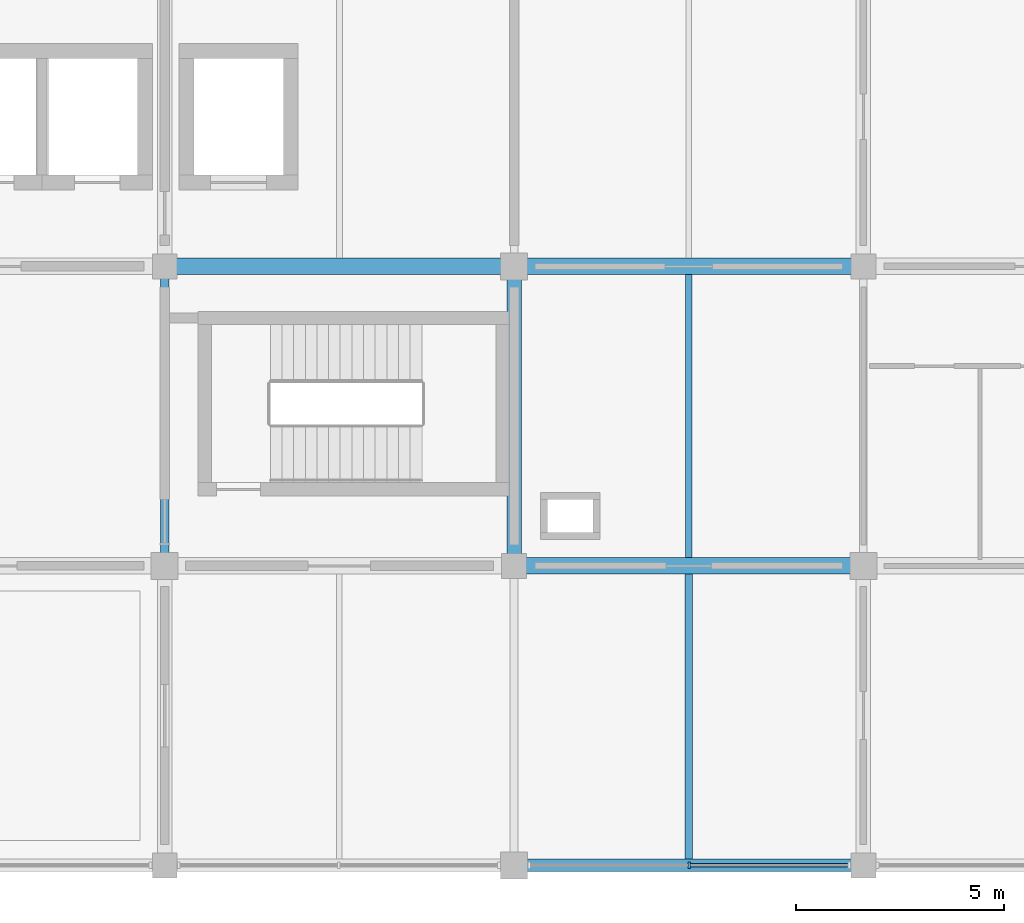
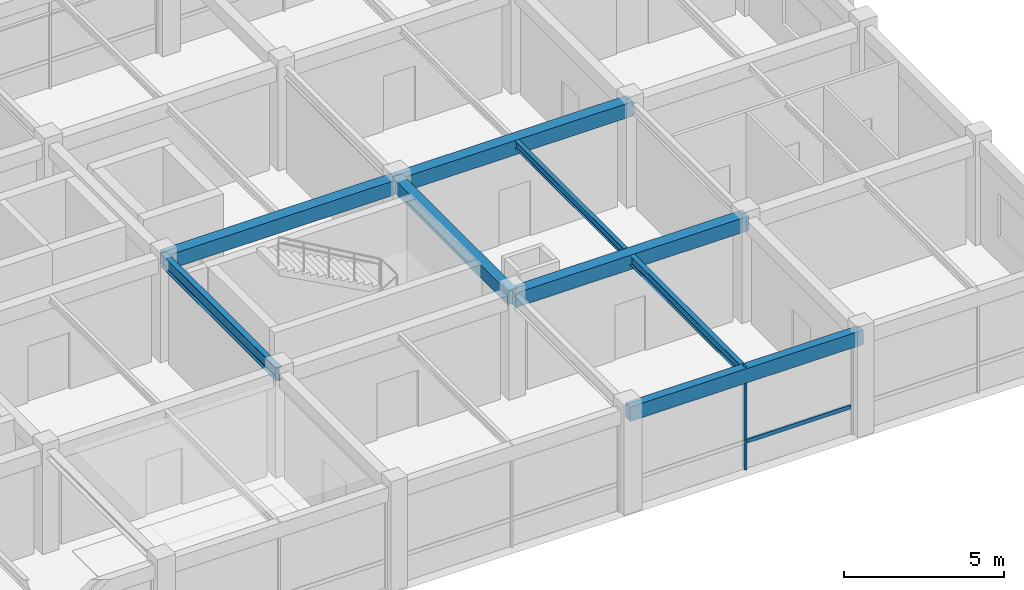
# One storey, part 3 of 11: 8 beams, 2 members, 1 element without a shape of its own.
"""IFC4 building model written with IfcOpenShell, lengths in metres."""

from ifc_helpers import new_model, si_unit, derived_unit, direction, frame, origin, origin_2d, place, context, subcontext, project, spatial, rectangle, i_section, extrude, material, material_profile, profile_set, type_object, element, aggregate, save


model = new_model("IFC4")

# Units and contexts
model_context = context("Model", 3, precision=1e-05, world=origin(), true_north=direction((0.0, 1.0)))
body_context = subcontext(model_context, "Body", "Model", "MODEL_VIEW")
ifc_project = project(units=[si_unit("LENGTHUNIT", "METRE"), si_unit("AREAUNIT", "SQUARE_METRE"), si_unit("VOLUMEUNIT", "CUBIC_METRE"), si_unit("PLANEANGLEUNIT", "RADIAN"), si_unit("MASSUNIT", "GRAM", prefix="KILO"), derived_unit("THERMALTRANSMITTANCEUNIT", [(si_unit("MASSUNIT", "GRAM", prefix="KILO"), 1), (si_unit("TIMEUNIT", "SECOND"), -3), (si_unit("THERMODYNAMICTEMPERATUREUNIT", "KELVIN"), -1)])], contexts=[model_context])

# Site, building, storey
site_placement = place(None, origin())
site = spatial("IfcSite", under=ifc_project, at=site_placement, CompositionType="ELEMENT")
building_placement = place(site_placement, origin())
building = spatial("IfcBuilding", under=site, at=building_placement, Name="Veldstrom Oceanarium and Marine Research Institute", CompositionType="ELEMENT")
storey_placement = place(building_placement, frame((0.0, 0.0, 48.0)))
storey = spatial("IfcBuildingStorey", under=building, at=storey_placement, Name="L10", CompositionType="ELEMENT", Elevation=48.0)

# Curtain wall, members
ifc_material_1 = material(Name="Anodised Aluminium Framing", Category="aluminium")
curtain_wall_type = type_object("IfcCurtainWallType", Name="ARC-CW-CW04", PredefinedType="USERDEFINED", material=ifc_material_1)
curtain_wall_placement = place(storey_placement, origin())
curtain_wall = element("IfcCurtainWall", 1, at=curtain_wall_placement, inside=storey, type_object=curtain_wall_type, Name="Curtain Wall CW04 CW-L10-147", ObjectType="Curtain wall", PredefinedType="USERDEFINED")
ifc_material_2 = material(Name="Anodised Aluminium Framing", Category="aluminium")
ifc_material_profile_1 = material_profile(ifc_material_2, rectangle(XDim=0.06494140625, YDim=0.14990234375, at=origin_2d()), Name="ALU-MUL-65x150")
ifc_profile_set_1 = profile_set([ifc_material_profile_1], Name="Anodised Aluminium Framing")
member_type_1 = type_object("IfcMemberType", Name="ARC-MUL-ML2", PredefinedType="MULLION", material=ifc_profile_set_1)
member_1_placement = place(storey_placement, frame((105.012451171875, 43.199951171875, 0.0), z_axis=(0.0, 0.0, 1.0), x_axis=(1.0, 0.0, 0.0)))
member_1 = element("IfcMember", 2, at=member_1_placement, type_object=member_type_1, Name="Curtain Wall Mullion CW-L10-147-MUL-2", PredefinedType="MULLION", context=body_context, shape_type="SweptSolid", body=[
    extrude(rectangle(XDim=0.06494140625, YDim=0.14990234375, at=origin_2d()), origin(), (0.0, 0.0, 1.0), 3.919921875),
])
ifc_material_3 = material(Name="Anodised Aluminium Framing", Category="aluminium")
ifc_material_profile_2 = material_profile(ifc_material_3, rectangle(XDim=0.074951171875, YDim=0.14990234375, at=origin_2d()), Name="ALU-TRN-75x150")
ifc_profile_set_2 = profile_set([ifc_material_profile_2], Name="Anodised Aluminium Framing")
member_type_2 = type_object("IfcMemberType", Name="ARC-TRN-TR1", PredefinedType="USERDEFINED", material=ifc_profile_set_2)
member_2_placement = place(storey_placement, frame((105.052490234375, 43.199951171875, 1.050048828125), z_axis=(1.0, 0.0, 0.0), x_axis=(0.0, 1.0, 0.0)))
member_2 = element("IfcMember", 3, at=member_2_placement, type_object=member_type_2, Name="Curtain Wall Transom CW-L10-147-TRN-2", ObjectType="Transom", PredefinedType="USERDEFINED", context=body_context, shape_type="SweptSolid", body=[
    extrude(rectangle(XDim=0.074951171875, YDim=0.14990234375, at=origin_2d()), origin(), (0.0, 0.0, 1.0), 3.767578125),
])
aggregate(curtain_wall, [member_1, member_2])

# Beams
ifc_material_4 = material(Name="Concrete C40/50", Category="concrete")
ifc_material_profile_3 = material_profile(ifc_material_4, rectangle(XDim=0.39990234375, YDim=0.550048828125, at=origin_2d()), Name="RC-BM-400x550")
ifc_profile_set_3 = profile_set([ifc_material_profile_3], Name="Concrete C40/50")
beam_type_1 = type_object("IfcBeamType", Name="STR-BM-B07", PredefinedType="BEAM", material=ifc_profile_set_3)
beam_1_placement = place(storey_placement, frame((92.39990234375, 57.60009765625, 3.639892578125), z_axis=(1.0, 0.0, 0.0), x_axis=(0.0, 1.0, 0.0)))
element("IfcBeam", 4, at=beam_1_placement, inside=storey, type_object=beam_type_1, Name="Primary Beam B07 L10-2551", PredefinedType="BEAM", context=body_context, shape_type="SweptSolid", body=[
    extrude(rectangle(XDim=0.39990234375, YDim=0.550048828125, at=origin_2d()), origin(), (0.0, 0.0, 1.0), 8.400146484375),
])
for number, where, z_axis, x_axis, name in (
    (5, (100.800048828125, 50.39990234375, 3.639892578125), (1.0, 0.0, 0.0), (0.0, 1.0, 0.0), "Primary Beam B07 L10-2555"),
    (6, (100.800048828125, 57.60009765625, 3.639892578125), (1.0, 0.0, 0.0), (0.0, 1.0, 0.0), "Primary Beam B07 L10-2556"),
):
    element("IfcBeam", number, at=place(storey_placement, frame(where, z_axis=z_axis, x_axis=x_axis)), inside=storey, type_object=beam_type_1, Name=name, PredefinedType="BEAM", context=body_context, shape_type="SweptSolid", body=[
        extrude(rectangle(XDim=0.39990234375, YDim=0.550048828125, at=origin_2d()), origin(), (0.0, 0.0, 1.0), 8.39990234375),
    ])
ifc_material_5 = material(Name="Concrete C40/50", Category="concrete")
ifc_material_profile_4 = material_profile(ifc_material_5, rectangle(XDim=0.35009765625, YDim=0.5, at=origin_2d()), Name="RC-BM-350x500")
ifc_profile_set_4 = profile_set([ifc_material_profile_4], Name="Concrete C40/50")
beam_type_2 = type_object("IfcBeamType", Name="STR-BM-B08", PredefinedType="BEAM", material=ifc_profile_set_4)
beam_2_placement = place(storey_placement, frame((100.800048828125, 50.39990234375, 3.6650390625), z_axis=(0.0, 1.0, 0.0), x_axis=(-1.0, 0.0, 0.0)))
element("IfcBeam", 7, at=beam_2_placement, inside=storey, type_object=beam_type_2, Name="Primary Beam B08 L10-2577", PredefinedType="BEAM", context=body_context, shape_type="SweptSolid", body=[
    extrude(rectangle(XDim=0.35009765625, YDim=0.5, at=origin_2d()), origin(), (0.0, 0.0, 1.0), 7.2001953125),
])
ifc_material_6 = material(Name="Steel S355JR", Category="steel")
ifc_material_profile_5 = material_profile(ifc_material_6, i_section(OverallWidth=0.199951171875, OverallDepth=0.5, WebThickness=0.01025390625, FlangeThickness=0.01611328125, FilletRadius=0.02099609375, at=origin_2d()), Name="IPE 500")
ifc_profile_set_5 = profile_set([ifc_material_profile_5], Name="Steel S355JR")
beam_type_3 = type_object("IfcBeamType", Name="STR-BM-SB6", PredefinedType="BEAM", material=ifc_profile_set_5)
beam_3_placement = place(storey_placement, frame((92.39990234375, 50.39990234375, 3.6650390625), z_axis=(0.0, 1.0, 0.0), x_axis=(-1.0, 0.0, 0.0)))
element("IfcBeam", 8, at=beam_3_placement, inside=storey, type_object=beam_type_3, Name="Steel Tie Beam SB6 L10-2573", PredefinedType="BEAM", context=body_context, shape_type="SweptSolid", body=[
    extrude(i_section(OverallWidth=0.199951171875, OverallDepth=0.5, WebThickness=0.01025390625, FlangeThickness=0.01611328125, FilletRadius=0.02099609375, at=origin_2d()), origin(), (0.0, 0.0, 1.0), 7.2001953125),
])
ifc_material_7 = material(Name="Steel S355JR", Category="steel")
ifc_material_profile_6 = material_profile(ifc_material_7, i_section(OverallWidth=0.169921875, OverallDepth=0.360107421875, WebThickness=0.008056640625, FlangeThickness=0.0126953125, FilletRadius=0.01806640625, at=origin_2d()), Name="IPE 360")
ifc_profile_set_6 = profile_set([ifc_material_profile_6], Name="Steel S355JR")
beam_type_4 = type_object("IfcBeamType", Name="STR-JST-SJ1", PredefinedType="JOIST", material=ifc_profile_set_6)
beam_4_placement = place(storey_placement, frame((105.0, 43.35009765625, 3.735107421875), z_axis=(0.0, 1.0, 0.0), x_axis=(-1.0, 0.0, 0.0)))
element("IfcBeam", 9, at=beam_4_placement, inside=storey, type_object=beam_type_4, Name="Secondary Joist SJ1 L10-2597", PredefinedType="JOIST", context=body_context, shape_type="SweptSolid", body=[
    extrude(i_section(OverallWidth=0.169921875, OverallDepth=0.360107421875, WebThickness=0.008056640625, FlangeThickness=0.0126953125, FilletRadius=0.01806640625, at=origin_2d()), origin(), (0.0, 0.0, 1.0), 6.849853515625),
])
ifc_material_8 = material(Name="Steel S355JR", Category="steel")
ifc_material_profile_7 = material_profile(ifc_material_8, i_section(OverallWidth=0.14990234375, OverallDepth=0.300048828125, WebThickness=0.007080078125, FlangeThickness=0.0107421875, FilletRadius=0.014892578125, at=origin_2d()), Name="IPE 300")
ifc_profile_set_7 = profile_set([ifc_material_profile_7], Name="Steel S355JR")
beam_type_5 = type_object("IfcBeamType", Name="STR-JST-SJ2", PredefinedType="JOIST", material=ifc_profile_set_7)
beam_5_placement = place(storey_placement, frame((105.0, 50.60009765625, 3.764892578125), z_axis=(0.0, 1.0, 0.0), x_axis=(-1.0, 0.0, 0.0)))
element("IfcBeam", 10, at=beam_5_placement, inside=storey, type_object=beam_type_5, Name="Secondary Joist SJ2 L10-2598", PredefinedType="JOIST", context=body_context, shape_type="SweptSolid", body=[
    extrude(i_section(OverallWidth=0.14990234375, OverallDepth=0.300048828125, WebThickness=0.007080078125, FlangeThickness=0.0107421875, FilletRadius=0.014892578125, at=origin_2d()), origin(), (0.0, 0.0, 1.0), 6.7998046875),
])
ifc_material_9 = material(Name="Concrete C40/50", Category="concrete")
ifc_material_profile_8 = material_profile(ifc_material_9, rectangle(XDim=0.300048828125, YDim=0.550048828125, at=origin_2d()), Name="RC-SPN-300x550")
ifc_profile_set_8 = profile_set([ifc_material_profile_8], Name="Concrete C40/50")
beam_type_6 = type_object("IfcBeamType", Name="STR-SPN-SP2", PredefinedType="SPANDREL", material=ifc_profile_set_8)
beam_6_placement = place(storey_placement, frame((100.800048828125, 43.199951171875, 3.639892578125), z_axis=(1.0, 0.0, 0.0), x_axis=(0.0, 1.0, 0.0)))
element("IfcBeam", 11, at=beam_6_placement, inside=storey, type_object=beam_type_6, Name="Perimeter Spandrel SPB2 L10-2554", PredefinedType="SPANDREL", context=body_context, shape_type="SweptSolid", body=[
    extrude(rectangle(XDim=0.300048828125, YDim=0.550048828125, at=origin_2d()), origin(), (0.0, 0.0, 1.0), 8.39990234375),
])

save(model, "model.ifc")
